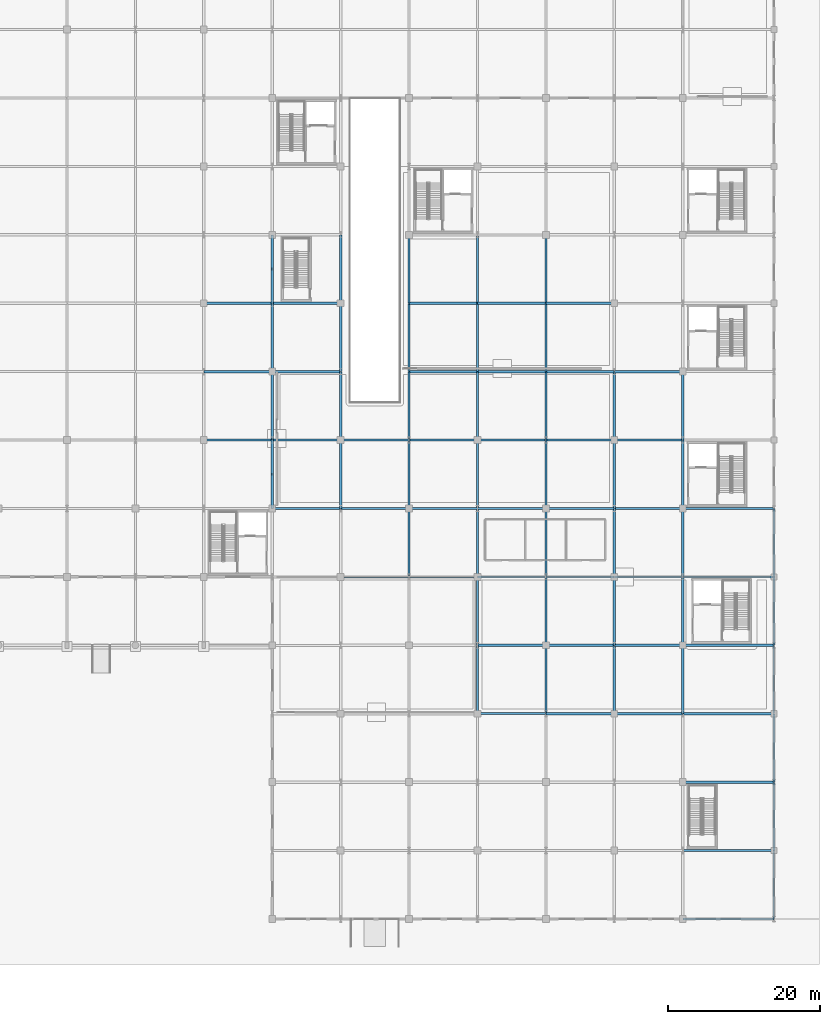
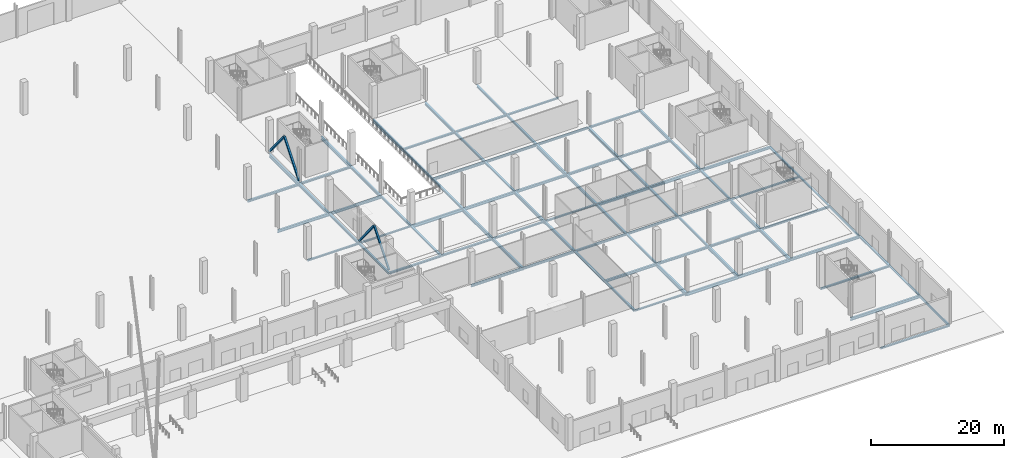
# One storey, part 22 of 58: 85 beams, 4 members.
"""IFC4 building model written with IfcOpenShell, lengths in metres."""

from ifc_helpers import new_model, si_unit, direction, frame, origin, origin_2d, place, context, subcontext, project, spatial, hollow_rectangle, i_section, extrude, material, material_profile, profile_set, type_object, element, save


model = new_model("IFC4")

# Units and contexts
model_context = context("Model", 3, precision=1e-05, world=origin(), true_north=direction((0.0, 1.0)))
body_context = subcontext(model_context, "Body", "Model", "MODEL_VIEW")
ifc_project = project(units=[si_unit("LENGTHUNIT", "METRE"), si_unit("AREAUNIT", "SQUARE_METRE"), si_unit("VOLUMEUNIT", "CUBIC_METRE"), si_unit("PLANEANGLEUNIT", "RADIAN"), si_unit("MASSUNIT", "GRAM", prefix="KILO")], contexts=[model_context])

# Site, building, storey
site_placement = place(None, origin())
site = spatial("IfcSite", under=ifc_project, at=site_placement, CompositionType="ELEMENT")
building_placement = place(site_placement, origin())
building = spatial("IfcBuilding", under=site, at=building_placement, Name="Barlavento Convention Centre", CompositionType="ELEMENT")
storey_placement = place(building_placement, origin())
storey = spatial("IfcBuildingStorey", under=building, at=storey_placement, Name="L00", CompositionType="ELEMENT", Elevation=0.0)

# Beams
ifc_material = material(Name="Steel S355", Category="steel")
ifc_material_profile_1 = material_profile(ifc_material, i_section(OverallWidth=0.300048828125, OverallDepth=0.330078125, WebThickness=0.009521484375, FlangeThickness=0.0166015625, FilletRadius=0.027099609375, at=origin_2d()), Name="HEA 340")
ifc_profile_set_1 = profile_set([ifc_material_profile_1], Name="Steel S355")
beam_type_1 = type_object("IfcBeamType", Name="STR-BM-PRI-HEA340", PredefinedType="BEAM", material=ifc_profile_set_1)
for number, where, z_axis, x_axis, name in (
    (1, (153.0, 27.02001953125, -0.52490234375), (0.0, 1.0, 0.0), (-1.0, 0.0, 0.0), "L00 grid girder BG24"),
    (2, (171.0, 36.02001953125, -0.52490234375), (0.0, 1.0, 0.0), (-1.0, 0.0, 0.0), "L00 grid girder BG24"),
    (3, (135.0, 54.02001953125, -0.52490234375), (0.0, 1.0, 0.0), (-1.0, 0.0, 0.0), "L00 grid girder BG24"),
    (4, (153.0, 63.02001953125, -0.52490234375), (0.0, 1.0, 0.0), (-1.0, 0.0, 0.0), "L00 grid girder BG24"),
):
    element("IfcBeam", number, at=place(storey_placement, frame(where, z_axis=z_axis, x_axis=x_axis)), inside=storey, type_object=beam_type_1, Name=name, PredefinedType="BEAM", context=body_context, shape_type="SweptSolid", body=[
        extrude(i_section(OverallWidth=0.300048828125, OverallDepth=0.330078125, WebThickness=0.009521484375, FlangeThickness=0.0166015625, FilletRadius=0.027099609375, at=origin_2d()), origin(), (0.0, 0.0, 1.0), 8.9599609375),
    ])
ifc_material_profile_2 = material_profile(ifc_material, i_section(OverallWidth=0.300048828125, OverallDepth=0.35009765625, WebThickness=0.010009765625, FlangeThickness=0.017578125, FilletRadius=0.027099609375, at=origin_2d()), Name="HEA 360")
ifc_profile_set_2 = profile_set([ifc_material_profile_2], Name="Steel S355")
beam_type_2 = type_object("IfcBeamType", Name="STR-BM-PRI-HEA360", PredefinedType="BEAM", material=ifc_profile_set_2)
for number, where, z_axis, x_axis, name in (
    (5, (162.0, 36.02001953125, -0.534912109375), (0.0, 1.0, 0.0), (-1.0, 0.0, 0.0), "L00 grid girder BG23"),
    (6, (180.0, 45.02001953125, -0.534912109375), (0.0, 1.0, 0.0), (-1.0, 0.0, 0.0), "L00 grid girder BG23"),
    (7, (126.0, 54.02001953125, -0.554931640625), (0.0, 1.0, 0.0), (-1.0, 0.0, 0.0), "L00 grid girder BG23"),
    (8, (144.0, 63.02001953125, -0.534912109375), (0.0, 1.0, 0.0), (-1.0, 0.0, 0.0), "L00 grid girder BG23"),
    (9, (162.0, 72.02001953125, -0.534912109375), (0.0, 1.0, 0.0), (-1.0, 0.0, 0.0), "L00 grid girder BG23"),
):
    element("IfcBeam", number, at=place(storey_placement, frame(where, z_axis=z_axis, x_axis=x_axis)), inside=storey, type_object=beam_type_2, Name=name, PredefinedType="BEAM", context=body_context, shape_type="SweptSolid", body=[
        extrude(i_section(OverallWidth=0.300048828125, OverallDepth=0.35009765625, WebThickness=0.010009765625, FlangeThickness=0.017578125, FilletRadius=0.027099609375, at=origin_2d()), origin(), (0.0, 0.0, 1.0), 8.9599609375),
    ])
ifc_material_profile_3 = material_profile(ifc_material, i_section(OverallWidth=0.300048828125, OverallDepth=0.389892578125, WebThickness=0.010986328125, FlangeThickness=0.01904296875, FilletRadius=0.027099609375, at=origin_2d()), Name="HEA 400")
ifc_profile_set_3 = profile_set([ifc_material_profile_3], Name="Steel S355")
beam_type_3 = type_object("IfcBeamType", Name="STR-BM-PRI-HEA400", PredefinedType="BEAM", material=ifc_profile_set_3)
for number, where, z_axis, x_axis, name in (
    (10, (153.0, 36.02001953125, -0.554931640625), (0.0, 1.0, 0.0), (-1.0, 0.0, 0.0), "L00 grid girder BG22"),
    (11, (171.0, 45.02001953125, -0.554931640625), (0.0, 1.0, 0.0), (-1.0, 0.0, 0.0), "L00 grid girder BG22"),
    (12, (135.0, 63.02001953125, -0.554931640625), (0.0, 1.0, 0.0), (-1.0, 0.0, 0.0), "L00 grid girder BG22"),
    (13, (153.0, 72.02001953125, -0.554931640625), (0.0, 1.0, 0.0), (-1.0, 0.0, 0.0), "L00 grid girder BG22"),
):
    element("IfcBeam", number, at=place(storey_placement, frame(where, z_axis=z_axis, x_axis=x_axis)), inside=storey, type_object=beam_type_3, Name=name, PredefinedType="BEAM", context=body_context, shape_type="SweptSolid", body=[
        extrude(i_section(OverallWidth=0.300048828125, OverallDepth=0.389892578125, WebThickness=0.010986328125, FlangeThickness=0.01904296875, FilletRadius=0.027099609375, at=origin_2d()), origin(), (0.0, 0.0, 1.0), 8.9599609375),
    ])
ifc_material_profile_4 = material_profile(ifc_material, i_section(OverallWidth=0.300048828125, OverallDepth=0.43994140625, WebThickness=0.011474609375, FlangeThickness=0.02099609375, FilletRadius=0.027099609375, at=origin_2d()), Name="HEA 450")
ifc_profile_set_4 = profile_set([ifc_material_profile_4], Name="Steel S355")
beam_type_4 = type_object("IfcBeamType", Name="STR-BM-PRI-HEA450", PredefinedType="BEAM", material=ifc_profile_set_4)
for number, where, z_axis, x_axis, name in (
    (14, (162.0, 45.02001953125, -0.580078125), (0.0, 1.0, 0.0), (-1.0, 0.0, 0.0), "L00 grid girder BG21"),
    (15, (180.0, 54.02001953125, -0.580078125), (0.0, 1.0, 0.0), (-1.0, 0.0, 0.0), "L00 grid girder BG21"),
    (16, (126.0, 63.02001953125, -0.60009765625), (0.0, 1.0, 0.0), (-1.0, 0.0, 0.0), "L00 grid girder BG21"),
    (17, (144.0, 72.02001953125, -0.580078125), (0.0, 1.0, 0.0), (-1.0, 0.0, 0.0), "L00 grid girder BG21"),
    (18, (162.0, 81.02001953125, -0.580078125), (0.0, 1.0, 0.0), (-1.0, 0.0, 0.0), "L00 grid girder BG21"),
):
    element("IfcBeam", number, at=place(storey_placement, frame(where, z_axis=z_axis, x_axis=x_axis)), inside=storey, type_object=beam_type_4, Name=name, PredefinedType="BEAM", context=body_context, shape_type="SweptSolid", body=[
        extrude(i_section(OverallWidth=0.300048828125, OverallDepth=0.43994140625, WebThickness=0.011474609375, FlangeThickness=0.02099609375, FilletRadius=0.027099609375, at=origin_2d()), origin(), (0.0, 0.0, 1.0), 8.9599609375),
    ])
ifc_material_profile_5 = material_profile(ifc_material, i_section(OverallWidth=0.300048828125, OverallDepth=0.489990234375, WebThickness=0.011962890625, FlangeThickness=0.02294921875, FilletRadius=0.027099609375, at=origin_2d()), Name="HEA 500")
ifc_profile_set_5 = profile_set([ifc_material_profile_5], Name="Steel S355")
beam_type_5 = type_object("IfcBeamType", Name="STR-BM-PRI-HEA500", PredefinedType="BEAM", material=ifc_profile_set_5)
for number, where, z_axis, x_axis, name in (
    (19, (153.0, 45.02001953125, -0.60498046875), (0.0, 1.0, 0.0), (-1.0, 0.0, 0.0), "L00 grid girder BG20"),
    (20, (171.0, 54.02001953125, -0.60498046875), (0.0, 1.0, 0.0), (-1.0, 0.0, 0.0), "L00 grid girder BG20"),
    (21, (135.0, 72.02001953125, -0.60498046875), (0.0, 1.0, 0.0), (-1.0, 0.0, 0.0), "L00 grid girder BG20"),
    (22, (153.0, 81.02001953125, -0.60498046875), (0.0, 1.0, 0.0), (-1.0, 0.0, 0.0), "L00 grid girder BG20"),
):
    element("IfcBeam", number, at=place(storey_placement, frame(where, z_axis=z_axis, x_axis=x_axis)), inside=storey, type_object=beam_type_5, Name=name, PredefinedType="BEAM", context=body_context, shape_type="SweptSolid", body=[
        extrude(i_section(OverallWidth=0.300048828125, OverallDepth=0.489990234375, WebThickness=0.011962890625, FlangeThickness=0.02294921875, FilletRadius=0.027099609375, at=origin_2d()), origin(), (0.0, 0.0, 1.0), 8.9599609375),
    ])
ifc_material_profile_6 = material_profile(ifc_material, i_section(OverallWidth=0.300048828125, OverallDepth=0.5400390625, WebThickness=0.012451171875, FlangeThickness=0.02392578125, FilletRadius=0.027099609375, at=origin_2d()), Name="HEA 550")
ifc_profile_set_6 = profile_set([ifc_material_profile_6], Name="Steel S355")
beam_type_6 = type_object("IfcBeamType", Name="STR-BM-PRI-HEA550", PredefinedType="BEAM", material=ifc_profile_set_6)
for number, where, z_axis, x_axis, name in (
    (23, (180.0, 27.02001953125, -0.6298828125), (0.0, 1.0, 0.0), (-1.0, 0.0, 0.0), "L00 grid girder BG19"),
    (24, (144.0, 45.02001953125, -0.6298828125), (0.0, 1.0, 0.0), (-1.0, 0.0, 0.0), "L00 grid girder BG19"),
    (25, (162.0, 54.02001953125, -0.6298828125), (0.0, 1.0, 0.0), (-1.0, 0.0, 0.0), "L00 grid girder BG19"),
    (26, (180.0, 63.02001953125, -0.6298828125), (0.0, 1.0, 0.0), (-1.0, 0.0, 0.0), "L00 grid girder BG19"),
    (27, (126.0, 72.02001953125, -0.64990234375), (0.0, 1.0, 0.0), (-1.0, 0.0, 0.0), "L00 grid girder BG19"),
    (28, (144.0, 81.02001953125, -0.6298828125), (0.0, 1.0, 0.0), (-1.0, 0.0, 0.0), "L00 grid girder BG19"),
):
    element("IfcBeam", number, at=place(storey_placement, frame(where, z_axis=z_axis, x_axis=x_axis)), inside=storey, type_object=beam_type_6, Name=name, PredefinedType="BEAM", context=body_context, shape_type="SweptSolid", body=[
        extrude(i_section(OverallWidth=0.300048828125, OverallDepth=0.5400390625, WebThickness=0.012451171875, FlangeThickness=0.02392578125, FilletRadius=0.027099609375, at=origin_2d()), origin(), (0.0, 0.0, 1.0), 8.9599609375),
    ])
ifc_material_profile_7 = material_profile(ifc_material, i_section(OverallWidth=0.300048828125, OverallDepth=0.590087890625, WebThickness=0.012939453125, FlangeThickness=0.02490234375, FilletRadius=0.027099609375, at=origin_2d()), Name="HEA 600")
ifc_profile_set_7 = profile_set([ifc_material_profile_7], Name="Steel S355")
beam_type_7 = type_object("IfcBeamType", Name="STR-BM-PRI-HEA600", PredefinedType="BEAM", material=ifc_profile_set_7)
for number, where, z_axis, x_axis, name in (
    (29, (171.0, 27.02001953125, -0.655029296875), (0.0, 1.0, 0.0), (-1.0, 0.0, 0.0), "L00 grid girder BG18"),
    (30, (153.0, 54.02001953125, -0.655029296875), (0.0, 1.0, 0.0), (-1.0, 0.0, 0.0), "L00 grid girder BG18"),
    (31, (171.0, 63.02001953125, -0.655029296875), (0.0, 1.0, 0.0), (-1.0, 0.0, 0.0), "L00 grid girder BG18"),
    (32, (135.0, 81.02001953125, -0.655029296875), (0.0, 1.0, 0.0), (-1.0, 0.0, 0.0), "L00 grid girder BG18"),
):
    element("IfcBeam", number, at=place(storey_placement, frame(where, z_axis=z_axis, x_axis=x_axis)), inside=storey, type_object=beam_type_7, Name=name, PredefinedType="BEAM", context=body_context, shape_type="SweptSolid", body=[
        extrude(i_section(OverallWidth=0.300048828125, OverallDepth=0.590087890625, WebThickness=0.012939453125, FlangeThickness=0.02490234375, FilletRadius=0.027099609375, at=origin_2d()), origin(), (0.0, 0.0, 1.0), 8.9599609375),
    ])
ifc_material_profile_8 = material_profile(ifc_material, i_section(OverallWidth=0.300048828125, OverallDepth=0.639892578125, WebThickness=0.013427734375, FlangeThickness=0.02587890625, FilletRadius=0.027099609375, at=origin_2d()), Name="HEA 650")
ifc_profile_set_8 = profile_set([ifc_material_profile_8], Name="Steel S355")
beam_type_8 = type_object("IfcBeamType", Name="STR-BM-PRI-HEA650", PredefinedType="BEAM", material=ifc_profile_set_8)
for number, where, z_axis, x_axis, name in (
    (33, (162.0, 27.02001953125, -0.679931640625), (0.0, 1.0, 0.0), (-1.0, 0.0, 0.0), "L00 grid girder BG17"),
    (34, (180.0, 36.02001953125, -0.679931640625), (0.0, 1.0, 0.0), (-1.0, 0.0, 0.0), "L00 grid girder BG17"),
    (35, (144.0, 54.02001953125, -0.679931640625), (0.0, 1.0, 0.0), (-1.0, 0.0, 0.0), "L00 grid girder BG17"),
    (36, (162.0, 63.02001953125, -0.679931640625), (0.0, 1.0, 0.0), (-1.0, 0.0, 0.0), "L00 grid girder BG17"),
    (37, (126.0, 81.02001953125, -0.699951171875), (0.0, 1.0, 0.0), (-1.0, 0.0, 0.0), "L00 grid girder BG17"),
):
    element("IfcBeam", number, at=place(storey_placement, frame(where, z_axis=z_axis, x_axis=x_axis)), inside=storey, type_object=beam_type_8, Name=name, PredefinedType="BEAM", context=body_context, shape_type="SweptSolid", body=[
        extrude(i_section(OverallWidth=0.300048828125, OverallDepth=0.639892578125, WebThickness=0.013427734375, FlangeThickness=0.02587890625, FilletRadius=0.027099609375, at=origin_2d()), origin(), (0.0, 0.0, 1.0), 8.9599609375),
    ])
ifc_material_profile_9 = material_profile(ifc_material, i_section(OverallWidth=0.260009765625, OverallDepth=0.260009765625, WebThickness=0.010009765625, FlangeThickness=0.017578125, FilletRadius=0.02392578125, at=origin_2d()), Name="HEB 260")
ifc_profile_set_9 = profile_set([ifc_material_profile_9], Name="Steel S355")
beam_type_9 = type_object("IfcBeamType", Name="STR-BM-PRI-HEB260", PredefinedType="BEAM", material=ifc_profile_set_9)
beam_1_placement = place(storey_placement, frame((153.02001953125, 27.0, -0.489990234375), z_axis=(1.0, 0.0, 0.0), x_axis=(0.0, 1.0, 0.0)))
element("IfcBeam", 38, at=beam_1_placement, inside=storey, type_object=beam_type_9, Name="L00 primary girder BG16", PredefinedType="BEAM", context=body_context, shape_type="SweptSolid", body=[
    extrude(i_section(OverallWidth=0.260009765625, OverallDepth=0.260009765625, WebThickness=0.010009765625, FlangeThickness=0.017578125, FilletRadius=0.02392578125, at=origin_2d()), origin(), (0.0, 0.0, 1.0), 8.9599609375),
])
beam_2_placement = place(storey_placement, frame((180.02001953125, 45.0, -0.489990234375), z_axis=(1.0, 0.0, 0.0), x_axis=(0.0, 1.0, 0.0)))
element("IfcBeam", 39, at=beam_2_placement, inside=storey, type_object=beam_type_9, Name="L00 primary girder BG16", PredefinedType="BEAM", context=body_context, shape_type="SweptSolid", body=[
    extrude(i_section(OverallWidth=0.260009765625, OverallDepth=0.260009765625, WebThickness=0.010009765625, FlangeThickness=0.017578125, FilletRadius=0.02392578125, at=origin_2d()), origin(), (0.0, 0.0, 1.0), 11.9599609375),
])
for number, where, z_axis, x_axis, name in (
    (40, (153.02001953125, 54.0, -0.489990234375), (1.0, 0.0, 0.0), (0.0, 1.0, 0.0), "L00 primary girder BG16"),
    (41, (126.02001953125, 63.0, -0.510009765625), (1.0, 0.0, 0.0), (0.0, 1.0, 0.0), "L00 primary girder BG16"),
):
    element("IfcBeam", number, at=place(storey_placement, frame(where, z_axis=z_axis, x_axis=x_axis)), inside=storey, type_object=beam_type_9, Name=name, PredefinedType="BEAM", context=body_context, shape_type="SweptSolid", body=[
        extrude(i_section(OverallWidth=0.260009765625, OverallDepth=0.260009765625, WebThickness=0.010009765625, FlangeThickness=0.017578125, FilletRadius=0.02392578125, at=origin_2d()), origin(), (0.0, 0.0, 1.0), 8.9599609375),
    ])
ifc_material_profile_10 = material_profile(ifc_material, i_section(OverallWidth=0.280029296875, OverallDepth=0.280029296875, WebThickness=0.010498046875, FlangeThickness=0.01806640625, FilletRadius=0.02392578125, at=origin_2d()), Name="HEB 280")
ifc_profile_set_10 = profile_set([ifc_material_profile_10], Name="Steel S355")
beam_type_10 = type_object("IfcBeamType", Name="STR-BM-PRI-HEB280", PredefinedType="BEAM", material=ifc_profile_set_10)
for number, where, z_axis, x_axis, name in (
    (42, (171.02001953125, 45.0, -0.5), (1.0, 0.0, 0.0), (0.0, 1.0, 0.0), "L00 primary girder BG15"),
    (43, (144.02001953125, 54.0, -0.5), (1.0, 0.0, 0.0), (0.0, 1.0, 0.0), "L00 primary girder BG15"),
    (44, (117.02001953125, 63.0, -0.52001953125), (1.0, 0.0, 0.0), (0.0, 1.0, 0.0), "L00 primary girder BG15"),
    (45, (162.02001953125, 81.0, -0.5), (1.0, 0.0, 0.0), (0.0, 1.0, 0.0), "L00 primary girder BG15"),
):
    element("IfcBeam", number, at=place(storey_placement, frame(where, z_axis=z_axis, x_axis=x_axis)), inside=storey, type_object=beam_type_10, Name=name, PredefinedType="BEAM", context=body_context, shape_type="SweptSolid", body=[
        extrude(i_section(OverallWidth=0.280029296875, OverallDepth=0.280029296875, WebThickness=0.010498046875, FlangeThickness=0.01806640625, FilletRadius=0.02392578125, at=origin_2d()), origin(), (0.0, 0.0, 1.0), 8.9599609375),
    ])
ifc_material_profile_11 = material_profile(ifc_material, i_section(OverallWidth=0.300048828125, OverallDepth=0.300048828125, WebThickness=0.010986328125, FlangeThickness=0.01904296875, FilletRadius=0.027099609375, at=origin_2d()), Name="HEB 300")
ifc_profile_set_11 = profile_set([ifc_material_profile_11], Name="Steel S355")
beam_type_11 = type_object("IfcBeamType", Name="STR-BM-PRI-HEB300", PredefinedType="BEAM", material=ifc_profile_set_11)
beam_3_placement = place(storey_placement, frame((180.02001953125, 18.0, -0.510009765625), z_axis=(1.0, 0.0, 0.0), x_axis=(0.0, 1.0, 0.0)))
element("IfcBeam", 46, at=beam_3_placement, inside=storey, type_object=beam_type_11, Name="L00 primary girder BG14", PredefinedType="BEAM", context=body_context, shape_type="SweptSolid", body=[
    extrude(i_section(OverallWidth=0.300048828125, OverallDepth=0.300048828125, WebThickness=0.010986328125, FlangeThickness=0.01904296875, FilletRadius=0.027099609375, at=origin_2d()), origin(), (0.0, 0.0, 1.0), 11.9599609375),
])
for number, where, z_axis, x_axis, name in (
    (47, (162.02001953125, 45.0, -0.510009765625), (1.0, 0.0, 0.0), (0.0, 1.0, 0.0), "L00 primary girder BG14"),
    (48, (135.02001953125, 54.0, -0.510009765625), (1.0, 0.0, 0.0), (0.0, 1.0, 0.0), "L00 primary girder BG14"),
    (49, (171.02001953125, 72.0, -0.510009765625), (1.0, 0.0, 0.0), (0.0, 1.0, 0.0), "L00 primary girder BG14"),
    (50, (153.02001953125, 81.0, -0.510009765625), (1.0, 0.0, 0.0), (0.0, 1.0, 0.0), "L00 primary girder BG14"),
):
    element("IfcBeam", number, at=place(storey_placement, frame(where, z_axis=z_axis, x_axis=x_axis)), inside=storey, type_object=beam_type_11, Name=name, PredefinedType="BEAM", context=body_context, shape_type="SweptSolid", body=[
        extrude(i_section(OverallWidth=0.300048828125, OverallDepth=0.300048828125, WebThickness=0.010986328125, FlangeThickness=0.01904296875, FilletRadius=0.027099609375, at=origin_2d()), origin(), (0.0, 0.0, 1.0), 8.9599609375),
    ])
ifc_material_profile_12 = material_profile(ifc_material, i_section(OverallWidth=0.300048828125, OverallDepth=0.320068359375, WebThickness=0.011474609375, FlangeThickness=0.0205078125, FilletRadius=0.027099609375, at=origin_2d()), Name="HEB 320")
ifc_profile_set_12 = profile_set([ifc_material_profile_12], Name="Steel S355")
beam_type_12 = type_object("IfcBeamType", Name="STR-BM-PRI-HEB320", PredefinedType="BEAM", material=ifc_profile_set_12)
beam_4_placement = place(storey_placement, frame((180.02001953125, 36.0, -0.52001953125), z_axis=(1.0, 0.0, 0.0), x_axis=(0.0, 1.0, 0.0)))
element("IfcBeam", 51, at=beam_4_placement, inside=storey, type_object=beam_type_12, Name="L00 primary girder BG13", PredefinedType="BEAM", context=body_context, shape_type="SweptSolid", body=[
    extrude(i_section(OverallWidth=0.300048828125, OverallDepth=0.320068359375, WebThickness=0.011474609375, FlangeThickness=0.0205078125, FilletRadius=0.027099609375, at=origin_2d()), origin(), (0.0, 0.0, 1.0), 11.9599609375),
])
for number, where, z_axis, x_axis, name in (
    (52, (153.02001953125, 45.0, -0.52001953125), (1.0, 0.0, 0.0), (0.0, 1.0, 0.0), "L00 primary girder BG13"),
    (53, (126.02001953125, 54.0, -0.5400390625), (1.0, 0.0, 0.0), (0.0, 1.0, 0.0), "L00 primary girder BG13"),
    (54, (162.02001953125, 72.0, -0.52001953125), (1.0, 0.0, 0.0), (0.0, 1.0, 0.0), "L00 primary girder BG13"),
    (55, (144.02001953125, 81.0, -0.52001953125), (1.0, 0.0, 0.0), (0.0, 1.0, 0.0), "L00 primary girder BG13"),
):
    element("IfcBeam", number, at=place(storey_placement, frame(where, z_axis=z_axis, x_axis=x_axis)), inside=storey, type_object=beam_type_12, Name=name, PredefinedType="BEAM", context=body_context, shape_type="SweptSolid", body=[
        extrude(i_section(OverallWidth=0.300048828125, OverallDepth=0.320068359375, WebThickness=0.011474609375, FlangeThickness=0.0205078125, FilletRadius=0.027099609375, at=origin_2d()), origin(), (0.0, 0.0, 1.0), 8.9599609375),
    ])
ifc_material_profile_13 = material_profile(ifc_material, i_section(OverallWidth=0.300048828125, OverallDepth=0.360107421875, WebThickness=0.012451171875, FlangeThickness=0.0224609375, FilletRadius=0.027099609375, at=origin_2d()), Name="HEB 360")
ifc_profile_set_13 = profile_set([ifc_material_profile_13], Name="Steel S355")
beam_type_13 = type_object("IfcBeamType", Name="STR-BM-PRI-HEB360", PredefinedType="BEAM", material=ifc_profile_set_13)
for number, where, z_axis, x_axis, name in (
    (56, (171.02001953125, 36.0, -0.5400390625), (1.0, 0.0, 0.0), (0.0, 1.0, 0.0), "L00 primary girder BG12"),
    (57, (144.02001953125, 45.0, -0.5400390625), (1.0, 0.0, 0.0), (0.0, 1.0, 0.0), "L00 primary girder BG12"),
    (58, (171.02001953125, 63.0, -0.5400390625), (1.0, 0.0, 0.0), (0.0, 1.0, 0.0), "L00 primary girder BG12"),
    (59, (153.02001953125, 72.0, -0.5400390625), (1.0, 0.0, 0.0), (0.0, 1.0, 0.0), "L00 primary girder BG12"),
    (60, (126.02001953125, 81.0, -0.56005859375), (1.0, 0.0, 0.0), (0.0, 1.0, 0.0), "L00 primary girder BG12"),
):
    element("IfcBeam", number, at=place(storey_placement, frame(where, z_axis=z_axis, x_axis=x_axis)), inside=storey, type_object=beam_type_13, Name=name, PredefinedType="BEAM", context=body_context, shape_type="SweptSolid", body=[
        extrude(i_section(OverallWidth=0.300048828125, OverallDepth=0.360107421875, WebThickness=0.012451171875, FlangeThickness=0.0224609375, FilletRadius=0.027099609375, at=origin_2d()), origin(), (0.0, 0.0, 1.0), 8.9599609375),
    ])
ifc_material_profile_14 = material_profile(ifc_material, i_section(OverallWidth=0.300048828125, OverallDepth=0.39990234375, WebThickness=0.013427734375, FlangeThickness=0.02392578125, FilletRadius=0.027099609375, at=origin_2d()), Name="HEB 400")
ifc_profile_set_14 = profile_set([ifc_material_profile_14], Name="Steel S355")
beam_type_14 = type_object("IfcBeamType", Name="STR-BM-PRI-HEB400", PredefinedType="BEAM", material=ifc_profile_set_14)
for number, where, z_axis, x_axis, name in (
    (61, (162.02001953125, 36.0, -0.56005859375), (1.0, 0.0, 0.0), (0.0, 1.0, 0.0), "L00 primary girder BG11"),
    (62, (135.02001953125, 45.0, -0.56005859375), (1.0, 0.0, 0.0), (0.0, 1.0, 0.0), "L00 primary girder BG11"),
    (63, (162.02001953125, 63.0, -0.56005859375), (1.0, 0.0, 0.0), (0.0, 1.0, 0.0), "L00 primary girder BG11"),
    (64, (144.02001953125, 72.0, -0.56005859375), (1.0, 0.0, 0.0), (0.0, 1.0, 0.0), "L00 primary girder BG11"),
    (65, (117.02001953125, 81.0, -0.580078125), (1.0, 0.0, 0.0), (0.0, 1.0, 0.0), "L00 primary girder BG11"),
):
    element("IfcBeam", number, at=place(storey_placement, frame(where, z_axis=z_axis, x_axis=x_axis)), inside=storey, type_object=beam_type_14, Name=name, PredefinedType="BEAM", context=body_context, shape_type="SweptSolid", body=[
        extrude(i_section(OverallWidth=0.300048828125, OverallDepth=0.39990234375, WebThickness=0.013427734375, FlangeThickness=0.02392578125, FilletRadius=0.027099609375, at=origin_2d()), origin(), (0.0, 0.0, 1.0), 8.9599609375),
    ])
ifc_material_profile_15 = material_profile(ifc_material, i_section(OverallWidth=0.300048828125, OverallDepth=0.449951171875, WebThickness=0.013916015625, FlangeThickness=0.02587890625, FilletRadius=0.027099609375, at=origin_2d()), Name="HEB 450")
ifc_profile_set_15 = profile_set([ifc_material_profile_15], Name="Steel S355")
beam_type_15 = type_object("IfcBeamType", Name="STR-BM-PRI-HEB450", PredefinedType="BEAM", material=ifc_profile_set_15)
beam_5_placement = place(storey_placement, frame((180.02001953125, 27.0, -0.5849609375), z_axis=(1.0, 0.0, 0.0), x_axis=(0.0, 1.0, 0.0)))
element("IfcBeam", 66, at=beam_5_placement, inside=storey, type_object=beam_type_15, Name="L00 primary girder BG10", PredefinedType="BEAM", context=body_context, shape_type="SweptSolid", body=[
    extrude(i_section(OverallWidth=0.300048828125, OverallDepth=0.449951171875, WebThickness=0.013916015625, FlangeThickness=0.02587890625, FilletRadius=0.027099609375, at=origin_2d()), origin(), (0.0, 0.0, 1.0), 11.9599609375),
])
beam_6_placement = place(storey_placement, frame((153.02001953125, 36.0, -0.5849609375), z_axis=(1.0, 0.0, 0.0), x_axis=(0.0, 1.0, 0.0)))
element("IfcBeam", 67, at=beam_6_placement, inside=storey, type_object=beam_type_15, Name="L00 primary girder BG10", PredefinedType="BEAM", context=body_context, shape_type="SweptSolid", body=[
    extrude(i_section(OverallWidth=0.300048828125, OverallDepth=0.449951171875, WebThickness=0.013916015625, FlangeThickness=0.02587890625, FilletRadius=0.027099609375, at=origin_2d()), origin(), (0.0, 0.0, 1.0), 8.9599609375),
])
beam_7_placement = place(storey_placement, frame((180.02001953125, 54.0, -0.5849609375), z_axis=(1.0, 0.0, 0.0), x_axis=(0.0, 1.0, 0.0)))
element("IfcBeam", 68, at=beam_7_placement, inside=storey, type_object=beam_type_15, Name="L00 primary girder BG10", PredefinedType="BEAM", context=body_context, shape_type="SweptSolid", body=[
    extrude(i_section(OverallWidth=0.300048828125, OverallDepth=0.449951171875, WebThickness=0.013916015625, FlangeThickness=0.02587890625, FilletRadius=0.027099609375, at=origin_2d()), origin(), (0.0, 0.0, 1.0), 11.9599609375),
])
for number, where, z_axis, x_axis, name in (
    (69, (153.02001953125, 63.0, -0.5849609375), (1.0, 0.0, 0.0), (0.0, 1.0, 0.0), "L00 primary girder BG10"),
    (70, (126.02001953125, 72.0, -0.60498046875), (1.0, 0.0, 0.0), (0.0, 1.0, 0.0), "L00 primary girder BG10"),
):
    element("IfcBeam", number, at=place(storey_placement, frame(where, z_axis=z_axis, x_axis=x_axis)), inside=storey, type_object=beam_type_15, Name=name, PredefinedType="BEAM", context=body_context, shape_type="SweptSolid", body=[
        extrude(i_section(OverallWidth=0.300048828125, OverallDepth=0.449951171875, WebThickness=0.013916015625, FlangeThickness=0.02587890625, FilletRadius=0.027099609375, at=origin_2d()), origin(), (0.0, 0.0, 1.0), 8.9599609375),
    ])
ifc_material_profile_16 = material_profile(ifc_material, i_section(OverallWidth=0.300048828125, OverallDepth=0.5, WebThickness=0.014404296875, FlangeThickness=0.028076171875, FilletRadius=0.027099609375, at=origin_2d()), Name="HEB 500")
ifc_profile_set_16 = profile_set([ifc_material_profile_16], Name="Steel S355")
beam_type_16 = type_object("IfcBeamType", Name="STR-BM-PRI-HEB500", PredefinedType="BEAM", material=ifc_profile_set_16)
beam_8_placement = place(storey_placement, frame((180.02001953125, 9.0, -0.610107421875), z_axis=(1.0, 0.0, 0.0), x_axis=(0.0, 1.0, 0.0)))
element("IfcBeam", 71, at=beam_8_placement, inside=storey, type_object=beam_type_16, Name="L00 primary girder BG09", PredefinedType="BEAM", context=body_context, shape_type="SweptSolid", body=[
    extrude(i_section(OverallWidth=0.300048828125, OverallDepth=0.5, WebThickness=0.014404296875, FlangeThickness=0.028076171875, FilletRadius=0.027099609375, at=origin_2d()), origin(), (0.0, 0.0, 1.0), 11.9599609375),
])
for number, where, z_axis, x_axis, name in (
    (72, (171.02001953125, 27.0, -0.610107421875), (1.0, 0.0, 0.0), (0.0, 1.0, 0.0), "L00 primary girder BG09"),
    (73, (171.02001953125, 54.0, -0.610107421875), (1.0, 0.0, 0.0), (0.0, 1.0, 0.0), "L00 primary girder BG09"),
    (74, (144.02001953125, 63.0, -0.610107421875), (1.0, 0.0, 0.0), (0.0, 1.0, 0.0), "L00 primary girder BG09"),
    (75, (117.02001953125, 72.0, -0.6298828125), (1.0, 0.0, 0.0), (0.0, 1.0, 0.0), "L00 primary girder BG09"),
):
    element("IfcBeam", number, at=place(storey_placement, frame(where, z_axis=z_axis, x_axis=x_axis)), inside=storey, type_object=beam_type_16, Name=name, PredefinedType="BEAM", context=body_context, shape_type="SweptSolid", body=[
        extrude(i_section(OverallWidth=0.300048828125, OverallDepth=0.5, WebThickness=0.014404296875, FlangeThickness=0.028076171875, FilletRadius=0.027099609375, at=origin_2d()), origin(), (0.0, 0.0, 1.0), 8.9599609375),
    ])
ifc_material_profile_17 = material_profile(ifc_material, i_section(OverallWidth=0.300048828125, OverallDepth=0.550048828125, WebThickness=0.014892578125, FlangeThickness=0.029052734375, FilletRadius=0.027099609375, at=origin_2d()), Name="HEB 550")
ifc_profile_set_17 = profile_set([ifc_material_profile_17], Name="Steel S355")
beam_type_17 = type_object("IfcBeamType", Name="STR-BM-PRI-HEB550", PredefinedType="BEAM", material=ifc_profile_set_17)
for number, where, z_axis, x_axis, name in (
    (76, (162.02001953125, 27.0, -0.635009765625), (1.0, 0.0, 0.0), (0.0, 1.0, 0.0), "L00 primary girder BG08"),
    (77, (162.02001953125, 54.0, -0.635009765625), (1.0, 0.0, 0.0), (0.0, 1.0, 0.0), "L00 primary girder BG08"),
    (78, (135.02001953125, 63.0, -0.635009765625), (1.0, 0.0, 0.0), (0.0, 1.0, 0.0), "L00 primary girder BG08"),
):
    element("IfcBeam", number, at=place(storey_placement, frame(where, z_axis=z_axis, x_axis=x_axis)), inside=storey, type_object=beam_type_17, Name=name, PredefinedType="BEAM", context=body_context, shape_type="SweptSolid", body=[
        extrude(i_section(OverallWidth=0.300048828125, OverallDepth=0.550048828125, WebThickness=0.014892578125, FlangeThickness=0.029052734375, FilletRadius=0.027099609375, at=origin_2d()), origin(), (0.0, 0.0, 1.0), 8.9599609375),
    ])
ifc_material_profile_18 = material_profile(ifc_material, i_section(OverallWidth=0.260009765625, OverallDepth=0.25, WebThickness=0.007568359375, FlangeThickness=0.012451171875, FilletRadius=0.02392578125, at=origin_2d()), Name="HEA 260")
ifc_profile_set_18 = profile_set([ifc_material_profile_18], Name="Steel S355")
beam_type_18 = type_object("IfcBeamType", Name="STR-BM-SPN-HEA260", PredefinedType="SPANDREL", material=ifc_profile_set_18)
for number, where, z_axis, x_axis, name in (
    (79, (192.0, 9.02001953125, -0.485107421875), (0.0, 1.0, 0.0), (-1.0, 0.0, 0.0), "L00 grid girder SP04"),
    (80, (192.0, 36.02001953125, -0.485107421875), (0.0, 1.0, 0.0), (-1.0, 0.0, 0.0), "L00 grid girder SP04"),
):
    element("IfcBeam", number, at=place(storey_placement, frame(where, z_axis=z_axis, x_axis=x_axis)), inside=storey, type_object=beam_type_18, Name=name, PredefinedType="SPANDREL", context=body_context, shape_type="SweptSolid", body=[
        extrude(i_section(OverallWidth=0.260009765625, OverallDepth=0.25, WebThickness=0.007568359375, FlangeThickness=0.012451171875, FilletRadius=0.02392578125, at=origin_2d()), origin(), (0.0, 0.0, 1.0), 8.9599609375),
    ])
ifc_material_profile_19 = material_profile(ifc_material, i_section(OverallWidth=0.280029296875, OverallDepth=0.27001953125, WebThickness=0.008056640625, FlangeThickness=0.012939453125, FilletRadius=0.02392578125, at=origin_2d()), Name="HEA 280")
ifc_profile_set_19 = profile_set([ifc_material_profile_19], Name="Steel S355")
beam_type_19 = type_object("IfcBeamType", Name="STR-BM-SPN-HEA280", PredefinedType="SPANDREL", material=ifc_profile_set_19)
beam_9_placement = place(storey_placement, frame((180.02001953125, 0.0, -0.4951171875), z_axis=(1.0, 0.0, 0.0), x_axis=(0.0, 1.0, 0.0)))
element("IfcBeam", 81, at=beam_9_placement, inside=storey, type_object=beam_type_19, Name="L00 primary girder SP03", PredefinedType="SPANDREL", context=body_context, shape_type="SweptSolid", body=[
    extrude(i_section(OverallWidth=0.280029296875, OverallDepth=0.27001953125, WebThickness=0.008056640625, FlangeThickness=0.012939453125, FilletRadius=0.02392578125, at=origin_2d()), origin(), (0.0, 0.0, 1.0), 11.9599609375),
])
ifc_material_profile_20 = material_profile(ifc_material, i_section(OverallWidth=0.300048828125, OverallDepth=0.2900390625, WebThickness=0.008544921875, FlangeThickness=0.013916015625, FilletRadius=0.027099609375, at=origin_2d()), Name="HEA 300")
ifc_profile_set_20 = profile_set([ifc_material_profile_20], Name="Steel S355")
beam_type_20 = type_object("IfcBeamType", Name="STR-BM-SPN-HEA300", PredefinedType="SPANDREL", material=ifc_profile_set_20)
for number, where, z_axis, x_axis, name in (
    (82, (192.0, 18.02001953125, -0.5048828125), (0.0, 1.0, 0.0), (-1.0, 0.0, 0.0), "L00 grid girder SP02"),
    (83, (192.0, 45.02001953125, -0.5048828125), (0.0, 1.0, 0.0), (-1.0, 0.0, 0.0), "L00 grid girder SP02"),
):
    element("IfcBeam", number, at=place(storey_placement, frame(where, z_axis=z_axis, x_axis=x_axis)), inside=storey, type_object=beam_type_20, Name=name, PredefinedType="SPANDREL", context=body_context, shape_type="SweptSolid", body=[
        extrude(i_section(OverallWidth=0.300048828125, OverallDepth=0.2900390625, WebThickness=0.008544921875, FlangeThickness=0.013916015625, FilletRadius=0.027099609375, at=origin_2d()), origin(), (0.0, 0.0, 1.0), 8.9599609375),
    ])
ifc_material_profile_21 = material_profile(ifc_material, hollow_rectangle(XDim=0.199951171875, YDim=0.39990234375, WallThickness=0.01611328125, at=origin_2d()), Name="RHS 400x200x16.0")
ifc_profile_set_21 = profile_set([ifc_material_profile_21], Name="Steel S355")
beam_type_21 = type_object("IfcBeamType", Name="STR-BM-SPN-RHS400", PredefinedType="SPANDREL", material=ifc_profile_set_21)
for number, where, z_axis, x_axis, name in (
    (84, (192.0, 0.02001953125, -0.56005859375), (0.0, 1.0, 0.0), (-1.0, 0.0, 0.0), "L00 grid girder SP06"),
    (85, (192.0, 27.02001953125, -0.56005859375), (0.0, 1.0, 0.0), (-1.0, 0.0, 0.0), "L00 grid girder SP06"),
):
    element("IfcBeam", number, at=place(storey_placement, frame(where, z_axis=z_axis, x_axis=x_axis)), inside=storey, type_object=beam_type_21, Name=name, PredefinedType="SPANDREL", context=body_context, shape_type="SweptSolid", body=[
        extrude(hollow_rectangle(XDim=0.199951171875, YDim=0.39990234375, WallThickness=0.01611328125, at=origin_2d()), origin(), (0.0, 0.0, 1.0), 8.9599609375),
    ])

# Members
ifc_material_profile_22 = material_profile(ifc_material, hollow_rectangle(XDim=0.300048828125, YDim=0.300048828125, WallThickness=0.01611328125, at=origin_2d()), Name="SHS 300x300x16.0")
ifc_profile_set_22 = profile_set([ifc_material_profile_22], Name="Steel S355")
member_type = type_object("IfcMemberType", Name="STR-MEM-BRC-SHS300", PredefinedType="BRACE", material=ifc_profile_set_22)
for number, where, z_axis, x_axis, name in (
    (86, (126.0, 54.050048828125, 0.0), (0.0, 0.631766299865, 0.775158914258), (-1.0, 0.0, 0.0), "Concentric lateral chevron brace BF01"),
    (87, (126.0, 62.949951171875, 0.0), (0.0, -0.631766299865, 0.775158914258), (1.0, 0.0, 0.0), "Concentric lateral chevron brace BF01"),
    (88, (126.0, 81.050048828125, 0.0), (0.0, 0.631766299865, 0.775158914258), (-1.0, 0.0, 0.0), "Concentric lateral chevron brace BF01"),
    (89, (126.0, 89.949951171875, 0.0), (0.0, -0.631766299865, 0.775158914258), (1.0, 0.0, 0.0), "Concentric lateral chevron brace BF01"),
):
    element("IfcMember", number, at=place(storey_placement, frame(where, z_axis=z_axis, x_axis=x_axis)), inside=storey, type_object=member_type, Name=name, PredefinedType="BRACE", context=body_context, shape_type="SweptSolid", body=[
        extrude(hollow_rectangle(XDim=0.300048828125, YDim=0.300048828125, WallThickness=0.01611328125, at=origin_2d()), origin(), (0.0, 0.0, 1.0), 7.043701171875),
    ])

save(model, "model.ifc")
